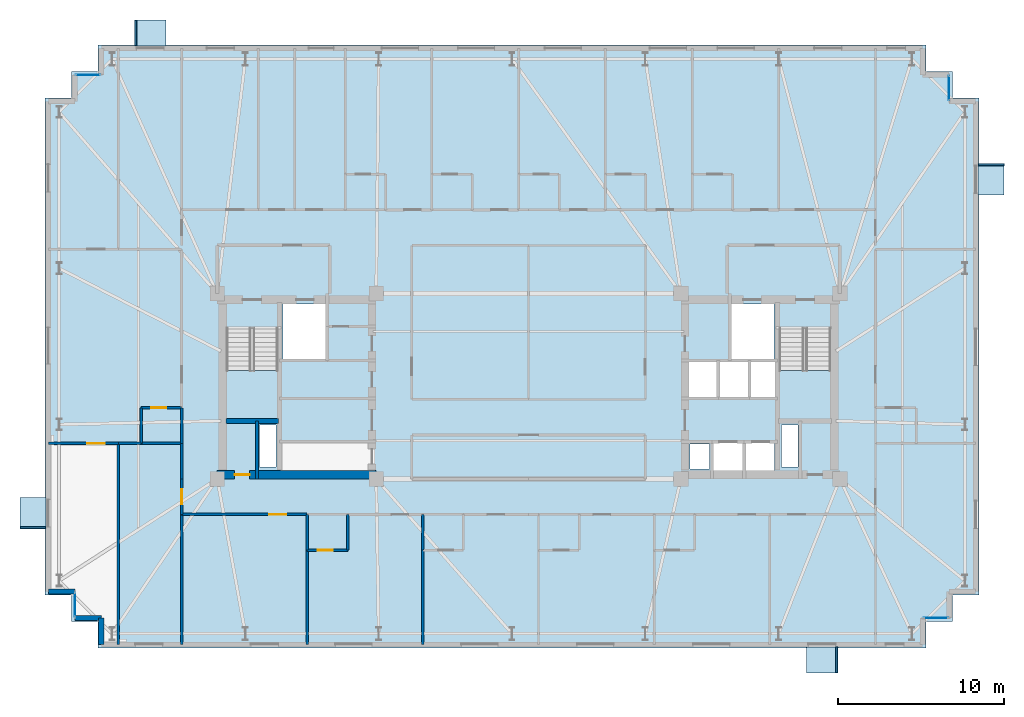
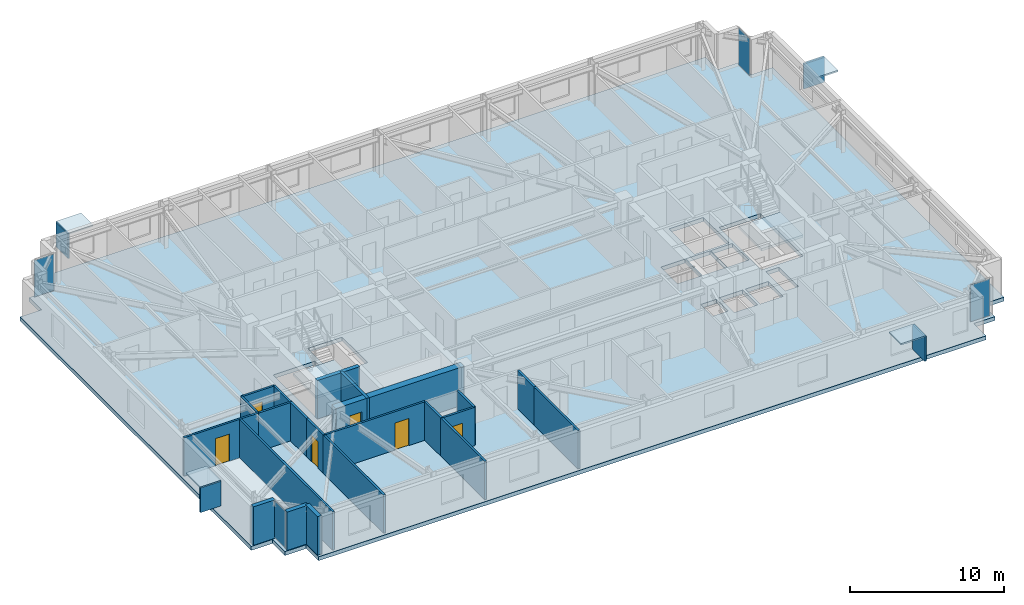
# One storey, part 10 of 17: 23 walls, 12 plates, 6 doors, 3 slabs, 6 openings, 6 elements without a shape of their own.
"""IFC4 building model written with IfcOpenShell, lengths in metres."""

from ifc_helpers import new_model, si_unit, direction, frame, frame_2d, origin, origin_2d, place, context, subcontext, project, spatial, polyline, rectangle, outline, extrude, material, layer, layer_set, type_object, element, fill, aggregate, save


model = new_model("IFC4")

# Units and contexts
model_context = context("Model", 3, precision=1e-05, world=origin(), true_north=direction((0.0, 1.0)))
body_context = subcontext(model_context, "Body", "Model", "MODEL_VIEW")
ifc_project = project(units=[si_unit("LENGTHUNIT", "METRE"), si_unit("AREAUNIT", "SQUARE_METRE"), si_unit("VOLUMEUNIT", "CUBIC_METRE"), si_unit("PLANEANGLEUNIT", "RADIAN"), si_unit("MASSUNIT", "GRAM", prefix="KILO")], contexts=[model_context])

# Site, building, storey
site_placement = place(None, origin())
site = spatial("IfcSite", under=ifc_project, at=site_placement, CompositionType="ELEMENT")
building_placement = place(site_placement, origin())
building = spatial("IfcBuilding", under=site, at=building_placement, Name="Qobustan Lattice House", CompositionType="ELEMENT")
storey_placement = place(building_placement, frame((0.0, 0.0, 144.39990234375)))
storey = spatial("IfcBuildingStorey", under=building, at=storey_placement, Name="L40", CompositionType="ELEMENT", Elevation=144.39990234375)

# Curtain wall, plate
ifc_material_1 = material(Name="Anodised aluminium and low-E glazing", Category="aluminium")
ifc_layer_1 = layer(ifc_material_1, 0.219970703125)
ifc_layer_set_1 = layer_set([ifc_layer_1], Name="Anodised aluminium and low-E glazing")
curtain_wall_type = type_object("IfcCurtainWallType", Name="CW-FAC-02", PredefinedType="USERDEFINED", material=ifc_layer_set_1)
curtain_wall_1_placement = place(storey_placement, origin())
curtain_wall_1 = element("IfcCurtainWall", 1, at=curtain_wall_1_placement, inside=storey, type_object=curtain_wall_type, Name="L40 serrated corner faceted glazing 3", ObjectType="CURTAIN WALL", PredefinedType="USERDEFINED")
ifc_material_2 = material(Name="Clear low-E laminated glass", Category="glass")
ifc_layer_2 = layer(ifc_material_2, 0.031982421875)
ifc_layer_set_2 = layer_set([ifc_layer_2], Name="Clear low-E laminated glass")
plate_type_1 = type_object("IfcPlateType", Name="CWP-VISION-32", PredefinedType="CURTAIN_PANEL", material=ifc_layer_set_2)
plate_1_placement = place(storey_placement, frame((-27.39990234375, -13.199951171875, 0.06494140625), z_axis=(0.0, 0.0, 1.0), x_axis=(0.0, 1.0, 0.0)))
plate_1 = element("IfcPlate", 2, at=plate_1_placement, type_object=plate_type_1, Name="CW-F2 panel 1.1", PredefinedType="CURTAIN_PANEL", context=body_context, shape_type="SweptSolid", body=[
    extrude(rectangle(XDim=1.4599609375, YDim=0.031982421875, at=origin_2d()), origin(), (0.0, 0.0, 1.0), 2.909912109375),
])
aggregate(curtain_wall_1, [plate_1])

curtain_wall_2_placement = place(storey_placement, origin())
curtain_wall_2 = element("IfcCurtainWall", 3, at=curtain_wall_2_placement, inside=storey, type_object=curtain_wall_type, Name="L40 serrated corner faceted glazing 8", ObjectType="CURTAIN WALL", PredefinedType="USERDEFINED")
plate_2_placement = place(storey_placement, frame((-26.60009765625, 18.800048828125, 0.06494140625), z_axis=(0.0, 0.0, 1.0), x_axis=(1.0, 0.0, 0.0)))
plate_2 = element("IfcPlate", 4, at=plate_2_placement, type_object=plate_type_1, Name="CW-F2 panel 1.1", PredefinedType="CURTAIN_PANEL", context=body_context, shape_type="SweptSolid", body=[
    extrude(rectangle(XDim=1.4599609375, YDim=0.031982421875, at=origin_2d()), origin(), (0.0, 0.0, 1.0), 2.909912109375),
])
aggregate(curtain_wall_2, [plate_2])

curtain_wall_3_placement = place(storey_placement, origin())
curtain_wall_3 = element("IfcCurtainWall", 5, at=curtain_wall_3_placement, inside=storey, type_object=curtain_wall_type, Name="L40 serrated corner faceted glazing 13", ObjectType="CURTAIN WALL", PredefinedType="USERDEFINED")
plate_3_placement = place(storey_placement, frame((25.39990234375, 18.0, 0.06494140625), z_axis=(0.0, 0.0, 1.0), x_axis=(0.0, -1.0, 0.0)))
plate_3 = element("IfcPlate", 6, at=plate_3_placement, type_object=plate_type_1, Name="CW-F2 panel 1.1", PredefinedType="CURTAIN_PANEL", context=body_context, shape_type="SweptSolid", body=[
    extrude(rectangle(XDim=1.4599609375, YDim=0.031982421875, at=origin_2d()), origin(), (0.0, 0.0, 1.0), 2.909912109375),
])
aggregate(curtain_wall_3, [plate_3])

curtain_wall_4_placement = place(storey_placement, origin())
curtain_wall_4 = element("IfcCurtainWall", 7, at=curtain_wall_4_placement, inside=storey, type_object=curtain_wall_type, Name="L40 serrated corner faceted glazing 18", ObjectType="CURTAIN WALL", PredefinedType="USERDEFINED")
plate_4_placement = place(storey_placement, frame((24.60009765625, -14.0, 0.06494140625), z_axis=(0.0, 0.0, 1.0), x_axis=(-1.0, 0.0, 0.0)))
plate_4 = element("IfcPlate", 8, at=plate_4_placement, type_object=plate_type_1, Name="CW-F2 panel 1.1", PredefinedType="CURTAIN_PANEL", context=body_context, shape_type="SweptSolid", body=[
    extrude(rectangle(XDim=1.4599609375, YDim=0.031982421875, at=origin_2d()), origin(), (0.0, 0.0, 1.0), 2.909912109375),
])
aggregate(curtain_wall_4, [plate_4])

# Plates
ifc_material_3 = material(Name="Qobustan limestone GFRC", Category="masonry")
ifc_layer_3 = layer(ifc_material_3, 0.1201171875)
ifc_layer_set_3 = layer_set([ifc_layer_3], Name="Qobustan limestone GFRC")
plate_type_2 = type_object("IfcPlateType", Name="SHD-HOOD-BROW", PredefinedType="USERDEFINED", material=ifc_layer_set_3)
plate_5_placement = place(storey_placement, frame((-29.929931640625, -7.679931640625, 2.699951171875), z_axis=(0.0, 0.0, 1.0), x_axis=(0.0, 1.0, 0.0)))
element("IfcPlate", 9, at=plate_5_placement, inside=storey, type_object=plate_type_2, Name="L40 splayed Qobustan stone hood brow", ObjectType="SUNSHADE", PredefinedType="USERDEFINED", context=body_context, shape_type="SweptSolid", body=[
    extrude(rectangle(XDim=1.889892578125, YDim=1.56005859375, at=origin_2d()), origin(), (0.0, 0.0, 1.0), 0.1201171875),
])
plate_6_placement = place(storey_placement, frame((-29.929931640625, -8.56494140625, 0.7900390625), z_axis=(0.0, 0.0, 1.0), x_axis=(0.0, 1.0, 0.0)))
element("IfcPlate", 10, at=plate_6_placement, inside=storey, type_object=plate_type_2, Name="L40 splayed Qobustan stone hood cheek", ObjectType="SUNSHADE", PredefinedType="USERDEFINED", context=body_context, shape_type="SweptSolid", body=[
    extrude(rectangle(XDim=0.1201171875, YDim=1.56005859375, at=origin_2d()), origin(), (0.0, 0.0, 1.0), 1.969970703125),
])
plate_7_placement = place(storey_placement, frame((-22.840087890625, 21.330078125, 2.699951171875), z_axis=(0.0, 0.0, 1.0), x_axis=(1.0, 0.0, 0.0)))
element("IfcPlate", 11, at=plate_7_placement, inside=storey, type_object=plate_type_2, Name="L40 splayed Qobustan stone hood brow", ObjectType="SUNSHADE", PredefinedType="USERDEFINED", context=body_context, shape_type="SweptSolid", body=[
    extrude(rectangle(XDim=1.889892578125, YDim=1.56005859375, at=origin_2d()), origin(), (0.0, 0.0, 1.0), 0.1201171875),
])
plate_8_placement = place(storey_placement, frame((-23.72509765625, 21.330078125, 0.7900390625), z_axis=(0.0, 0.0, 1.0), x_axis=(1.0, 0.0, 0.0)))
element("IfcPlate", 12, at=plate_8_placement, inside=storey, type_object=plate_type_2, Name="L40 splayed Qobustan stone hood cheek", ObjectType="SUNSHADE", PredefinedType="USERDEFINED", context=body_context, shape_type="SweptSolid", body=[
    extrude(rectangle(XDim=0.1201171875, YDim=1.56005859375, at=origin_2d()), origin(), (0.0, 0.0, 1.0), 1.969970703125),
])
plate_9_placement = place(storey_placement, frame((27.929931640625, 12.47998046875, 2.699951171875), z_axis=(0.0, 0.0, 1.0), x_axis=(0.0, -1.0, 0.0)))
element("IfcPlate", 13, at=plate_9_placement, inside=storey, type_object=plate_type_2, Name="L40 splayed Qobustan stone hood brow", ObjectType="SUNSHADE", PredefinedType="USERDEFINED", context=body_context, shape_type="SweptSolid", body=[
    extrude(rectangle(XDim=1.889892578125, YDim=1.56005859375, at=origin_2d()), origin(), (0.0, 0.0, 1.0), 0.1201171875),
])
plate_10_placement = place(storey_placement, frame((27.929931640625, 13.364990234375, 0.7900390625), z_axis=(0.0, 0.0, 1.0), x_axis=(0.0, -1.0, 0.0)))
element("IfcPlate", 14, at=plate_10_placement, inside=storey, type_object=plate_type_2, Name="L40 splayed Qobustan stone hood cheek", ObjectType="SUNSHADE", PredefinedType="USERDEFINED", context=body_context, shape_type="SweptSolid", body=[
    extrude(rectangle(XDim=0.1201171875, YDim=1.56005859375, at=origin_2d()), origin(), (0.0, 0.0, 1.0), 1.969970703125),
])
plate_11_placement = place(storey_placement, frame((17.719970703125, -16.530029296875, 2.699951171875), z_axis=(0.0, 0.0, 1.0), x_axis=(-1.0, 0.0, 0.0)))
element("IfcPlate", 15, at=plate_11_placement, inside=storey, type_object=plate_type_2, Name="L40 splayed Qobustan stone hood brow", ObjectType="SUNSHADE", PredefinedType="USERDEFINED", context=body_context, shape_type="SweptSolid", body=[
    extrude(rectangle(XDim=1.889892578125, YDim=1.56005859375, at=origin_2d()), origin(), (0.0, 0.0, 1.0), 0.1201171875),
])
plate_12_placement = place(storey_placement, frame((18.60498046875, -16.530029296875, 0.7900390625), z_axis=(0.0, 0.0, 1.0), x_axis=(-1.0, 0.0, 0.0)))
element("IfcPlate", 16, at=plate_12_placement, inside=storey, type_object=plate_type_2, Name="L40 splayed Qobustan stone hood cheek", ObjectType="SUNSHADE", PredefinedType="USERDEFINED", context=body_context, shape_type="SweptSolid", body=[
    extrude(rectangle(XDim=0.1201171875, YDim=1.56005859375, at=origin_2d()), origin(), (0.0, 0.0, 1.0), 1.969970703125),
])

# Slab
ifc_material_4 = material(Name="Concrete C40/50", Category="concrete")
ifc_layer_4 = layer(ifc_material_4, 0.31005859375)
ifc_layer_set_4 = layer_set([ifc_layer_4], Name="Concrete C40/50")
slab_type_1 = type_object("IfcSlabType", Name="SLB-FLR-310", PredefinedType="FLOOR", material=ifc_layer_set_4)
slab_1_placement = place(storey_placement, frame((0.0, 0.0, -0.309814453125)))
element("IfcSlab", 17, at=slab_1_placement, inside=storey, type_object=slab_type_1, Name="L40 structural floor slab", PredefinedType="FLOOR", context=body_context, shape_type="SweptSolid", body=[
    extrude(outline(polyline([(-26.0, -15.800048828125), (24.0, -15.800048828125), (24.0, -14.199951171875), (25.60009765625, -14.199951171875), (25.60009765625, -12.60009765625), (27.199951171875, -12.60009765625), (27.199951171875, 17.39990234375), (25.60009765625, 17.39990234375), (25.60009765625, 19.0), (24.0, 19.0), (24.0, 20.60009765625), (-26.0, 20.60009765625), (-26.0, 19.0), (-27.60009765625, 19.0), (-27.60009765625, 17.39990234375), (-29.199951171875, 17.39990234375), (-29.199951171875, -12.60009765625), (-27.60009765625, -12.60009765625), (-27.60009765625, -14.199951171875), (-26.0, -14.199951171875), (-26.0, -15.800048828125)]), holes=[polyline([(-18.25, -2.050048828125), (-18.25, 3.489990234375), (-15.1298828125, 3.489990234375), (-15.1298828125, -2.050048828125), (-18.25, -2.050048828125)]), polyline([(15.1298828125, -2.050048828125), (15.1298828125, 3.489990234375), (18.25, 3.489990234375), (18.25, -2.050048828125), (15.1298828125, -2.050048828125)]), polyline([(-14.820068359375, 1.64990234375), (-14.820068359375, 4.9599609375), (-12.25, 4.9599609375), (-12.25, 1.64990234375), (-14.820068359375, 1.64990234375)]), polyline([(12.25, 1.64990234375), (12.25, 4.9599609375), (14.820068359375, 4.9599609375), (14.820068359375, 1.64990234375), (12.25, 1.64990234375)]), polyline([(-16.260009765625, -4.8798828125), (-16.260009765625, -2.360107421875), (-15.260009765625, -2.360107421875), (-15.260009765625, -4.8798828125), (-16.260009765625, -4.8798828125)]), polyline([(15.260009765625, -4.8798828125), (15.260009765625, -2.360107421875), (16.260009765625, -2.360107421875), (16.260009765625, -4.8798828125), (15.260009765625, -4.8798828125)]), polyline([(11.179931640625, -5.35009765625), (11.179931640625, -3.419921875), (12.919921875, -3.419921875), (12.919921875, -5.35009765625), (11.179931640625, -5.35009765625)]), polyline([(13.1201171875, -5.35009765625), (13.1201171875, -3.419921875), (14.85009765625, -3.419921875), (14.85009765625, -5.35009765625), (13.1201171875, -5.35009765625)]), polyline([(9.760009765625, -5.0), (9.760009765625, -3.47998046875), (10.93994140625, -3.47998046875), (10.93994140625, -5.0), (9.760009765625, -5.0)]), polyline([(13.360107421875, -0.679931640625), (13.360107421875, 1.47998046875), (14.97998046875, 1.47998046875), (14.97998046875, -0.679931640625), (13.360107421875, -0.679931640625)]), polyline([(9.6201171875, -0.679931640625), (9.6201171875, 1.47998046875), (11.43994140625, 1.47998046875), (11.43994140625, -0.679931640625), (9.6201171875, -0.679931640625)]), polyline([(11.5, -0.679931640625), (11.5, 1.47998046875), (13.320068359375, 1.47998046875), (13.320068359375, -0.679931640625), (11.5, -0.679931640625)])]), origin(), (0.0, 0.0, 1.0), 0.309814453125),
])

# Stair, slab
ifc_material_5 = material(Name="Concrete C40/50", Category="concrete")
stair_type = type_object("IfcStairType", Name="STR-CORE-DOGLEG", PredefinedType="HALF_TURN_STAIR", material=ifc_material_5)
stair_1_placement = place(storey_placement, origin())
stair_1 = element("IfcStair", 18, at=stair_1_placement, inside=storey, type_object=stair_type, Name="L40 West protected exit stair ST-W1", PredefinedType="HALF_TURN_STAIR")
ifc_material_6 = material(Name="Concrete C40/50", Category="concrete")
ifc_layer_5 = layer(ifc_material_6, 0.199951171875)
ifc_layer_set_5 = layer_set([ifc_layer_5], Name="Concrete C40/50")
slab_type_2 = type_object("IfcSlabType", Name="SLB-LANDING-200", PredefinedType="LANDING", material=ifc_layer_set_5)
slab_2_placement = place(storey_placement, frame((0.0, 0.0, 1.47509765625)))
slab_2 = element("IfcSlab", 19, at=slab_2_placement, type_object=slab_type_2, Name="ST-W1 landing 1", PredefinedType="LANDING", context=body_context, shape_type="SweptSolid", body=[
    extrude(outline(polyline([(-18.25, 0.93505859375), (-18.25, -2.050048828125), (-15.1298828125, -2.050048828125), (-15.1298828125, 0.93505859375), (-18.25, 0.93505859375)])), origin(), (0.0, 0.0, 1.0), 0.199951171875),
])
aggregate(stair_1, [slab_2])

stair_2_placement = place(storey_placement, origin())
stair_2 = element("IfcStair", 20, at=stair_2_placement, inside=storey, type_object=stair_type, Name="L40 East protected exit stair ST-E1", PredefinedType="HALF_TURN_STAIR")
slab_3_placement = place(storey_placement, frame((0.0, 0.0, 1.47509765625)))
slab_3 = element("IfcSlab", 21, at=slab_3_placement, type_object=slab_type_2, Name="ST-E1 landing 1", PredefinedType="LANDING", context=body_context, shape_type="SweptSolid", body=[
    extrude(outline(polyline([(15.1298828125, 0.93505859375), (15.1298828125, -2.050048828125), (18.25, -2.050048828125), (18.25, 0.93505859375), (15.1298828125, 0.93505859375)])), origin(), (0.0, 0.0, 1.0), 0.199951171875),
])
aggregate(stair_2, [slab_3])

# Wall, opening, door
ifc_material_7 = material(Name="Concrete C50/60", Category="concrete")
ifc_layer_6 = layer(ifc_material_7, 0.5)
ifc_layer_set_6 = layer_set([ifc_layer_6], Name="Concrete C50/60")
wall_type_1 = type_object("IfcWallType", Name="WAL-CORE-500", PredefinedType="SHEAR", material=ifc_layer_set_6)
wall_1_placement = place(storey_placement, frame((-18.800048828125, -5.35009765625, 0.0), z_axis=(0.0, 0.0, 1.0), x_axis=(1.0, 0.0, 0.0)))
wall_1 = element("IfcWall", 22, at=wall_1_placement, inside=storey, type_object=wall_type_1, Name="L40 split-core shear wall CW-S", PredefinedType="SHEAR", context=body_context, shape_type="SweptSolid", body=[
    extrude(rectangle(XDim=9.60009765625, YDim=0.5, at=frame_2d((4.800048828125, 0.0))), origin(), (0.0, 0.0, 1.0), 3.0400390625),
])
opening_1_placement = place(wall_1_placement, frame((1.050048828125, 0.0, 0.0)))
opening_1 = element("IfcOpeningElement", 23, at=opening_1_placement, cuts=wall_1, Name="Opening RD-01", PredefinedType="OPENING", context=body_context, shape_type="SweptSolid", body=[
    extrude(rectangle(XDim=0.89990234375, YDim=2.10009765625, at=frame_2d((0.449951171875, 1.050048828125))), frame((0.0, 0.260009765625, 0.0), z_axis=(0.0, -1.0, 0.0), x_axis=(1.0, 0.0, 0.0)), (0.0, 0.0, 1.0), 0.52001953125),
])
ifc_material_8 = material(Name="Persian walnut timber and steel frame door", Category="steel")
door_type_1 = type_object("IfcDoorType", Name="DOR-RISER-FD-900x2100", OperationType="NOTDEFINED", PredefinedType="DOOR", material=ifc_material_8)
door_1_placement = place(opening_1_placement, origin())
door_1 = element("IfcDoor", 24, at=door_1_placement, inside=storey, type_object=door_type_1, Name="L40 core service riser access door W", OperationType="SINGLE_SWING_LEFT", OverallHeight=2.10009765625, OverallWidth=0.89990234375, PredefinedType="DOOR", context=body_context, shape_type="SweptSolid", body=[
    extrude(rectangle(XDim=0.89990234375, YDim=2.10009765625, at=frame_2d((0.449951171875, 1.050048828125))), frame((0.0, 0.02490234375, 0.0), z_axis=(0.0, -1.0, 0.0), x_axis=(1.0, 0.0, 0.0)), (0.0, 0.0, 1.0), 0.050048828125),
])
fill(opening_1, door_1)

# Walls
ifc_material_9 = material(Name="Concrete C50/60", Category="concrete")
ifc_layer_7 = layer(ifc_material_9, 0.280029296875)
ifc_layer_set_7 = layer_set([ifc_layer_7], Name="Concrete C50/60")
wall_type_2 = type_object("IfcWallType", Name="WAL-CORE-SPINE-280", PredefinedType="SHEAR", material=ifc_layer_set_7)
wall_2_placement = place(storey_placement, frame((-18.280029296875, -2.110107421875, 0.0), z_axis=(0.0, 0.0, 1.0), x_axis=(1.0, 0.0, 0.0)))
element("IfcWall", 25, at=wall_2_placement, inside=storey, type_object=wall_type_2, Name="L40 split-core shear wall CW-ST", PredefinedType="SHEAR", context=body_context, shape_type="SweptSolid", body=[
    extrude(rectangle(XDim=3.179931640625, YDim=0.300048828125, at=frame_2d((1.58984375, 0.0))), origin(), (0.0, 0.0, 1.0), 3.0400390625),
])
ifc_material_10 = material(Name="Precast concrete C40/50", Category="concrete")
ifc_layer_8 = layer(ifc_material_10, 0.320068359375)
ifc_layer_set_8 = layer_set([ifc_layer_8], Name="Precast concrete C40/50")
wall_type_3 = type_object("IfcWallType", Name="WAL-EXT-STONE-320", PredefinedType="SOLIDWALL", material=ifc_layer_set_8)
wall_3_placement = place(storey_placement, frame((-25.800048828125, -15.60009765625, 0.0), z_axis=(0.0, 0.0, 1.0), x_axis=(0.0, 1.0, 0.0)))
element("IfcWall", 26, at=wall_3_placement, inside=storey, type_object=wall_type_3, Name="L40 exterior limestone-clad wall 1", PredefinedType="SOLIDWALL", context=body_context, shape_type="SweptSolid", body=[
    extrude(rectangle(XDim=1.60009765625, YDim=0.320068359375, at=frame_2d((0.800048828125, 0.0))), origin(), (0.0, 0.0, 1.0), 3.0400390625),
])
wall_4_placement = place(storey_placement, frame((-25.800048828125, -14.0, 0.0), z_axis=(0.0, 0.0, 1.0), x_axis=(-1.0, 0.0, 0.0)))
element("IfcWall", 27, at=wall_4_placement, inside=storey, type_object=wall_type_3, Name="L40 exterior limestone-clad wall 2", PredefinedType="SOLIDWALL", context=body_context, shape_type="SweptSolid", body=[
    extrude(rectangle(XDim=1.599853515625, YDim=0.320068359375, at=frame_2d((0.7998046875, 0.0))), origin(), (0.0, 0.0, 1.0), 3.0400390625),
])
wall_5_placement = place(storey_placement, frame((-27.39990234375, -12.39990234375, 0.0), z_axis=(0.0, 0.0, 1.0), x_axis=(-1.0, 0.0, 0.0)))
element("IfcWall", 28, at=wall_5_placement, inside=storey, type_object=wall_type_3, Name="L40 exterior limestone-clad wall 4", PredefinedType="SOLIDWALL", context=body_context, shape_type="SweptSolid", body=[
    extrude(rectangle(XDim=1.60009765625, YDim=0.320068359375, at=frame_2d((0.800048828125, 0.0))), origin(), (0.0, 0.0, 1.0), 3.0400390625),
])

# Wall, opening, door
ifc_material_11 = material(Name="Acoustic twin-stud gypsum partition", Category="gypsum")
ifc_layer_9 = layer(ifc_material_11, 0.14990234375)
ifc_layer_set_9 = layer_set([ifc_layer_9], Name="Acoustic twin-stud gypsum partition")
wall_type_4 = type_object("IfcWallType", Name="WAL-PART-150", PredefinedType="PARTITIONING", material=ifc_layer_set_9)
wall_6_placement = place(storey_placement, frame((-20.949951171875, -7.75, 0.0), z_axis=(0.0, 0.0, 1.0), x_axis=(0.0, 1.0, 0.0)))
wall_6 = element("IfcWall", 29, at=wall_6_placement, inside=storey, type_object=wall_type_4, Name="L40 interior partition 51", PredefinedType="PARTITIONING", context=body_context, shape_type="SweptSolid", body=[
    extrude(rectangle(XDim=2.14990234375, YDim=0.14990234375, at=frame_2d((1.074951171875, 0.0))), origin(), (0.0, 0.0, 1.0), 3.0400390625),
])
opening_2_placement = place(wall_6_placement, frame((0.625, 0.0, 0.0)))
opening_2 = element("IfcOpeningElement", 30, at=opening_2_placement, cuts=wall_6, Name="Opening WD-01", PredefinedType="OPENING", context=body_context, shape_type="SweptSolid", body=[
    extrude(rectangle(XDim=0.89990234375, YDim=2.10009765625, at=frame_2d((0.449951171875, 1.050048828125))), frame((0.0, 0.0849609375, 0.0), z_axis=(0.0, -1.0, 0.0), x_axis=(1.0, 0.0, 0.0)), (0.0, 0.0, 1.0), 0.169921875),
])
ifc_material_12 = material(Name="Persian walnut timber and steel frame door", Category="steel")
door_type_2 = type_object("IfcDoorType", Name="DOR-WET-900x2100", OperationType="NOTDEFINED", PredefinedType="DOOR", material=ifc_material_12)
door_2_placement = place(opening_2_placement, origin())
door_2 = element("IfcDoor", 31, at=door_2_placement, inside=storey, type_object=door_type_2, Name="L40 South-west floor corridor to Focus study room W1B door", OperationType="SINGLE_SWING_LEFT", OverallHeight=2.10009765625, OverallWidth=0.89990234375, PredefinedType="DOOR", context=body_context, shape_type="SweptSolid", body=[
    extrude(rectangle(XDim=0.89990234375, YDim=2.10009765625, at=frame_2d((0.449951171875, 1.050048828125))), frame((0.0, 0.02490234375, 0.0), z_axis=(0.0, -1.0, 0.0), x_axis=(1.0, 0.0, 0.0)), (0.0, 0.0, 1.0), 0.050048828125),
])
fill(opening_2, door_2)

wall_7_placement = place(storey_placement, frame((-13.366943359375, -7.75, 0.0), z_axis=(0.0, 0.0, 1.0), x_axis=(-1.0, 0.0, 0.0)))
wall_7 = element("IfcWall", 32, at=wall_7_placement, inside=storey, type_object=wall_type_4, Name="L40 interior partition 52", PredefinedType="PARTITIONING", context=body_context, shape_type="SweptSolid", body=[
    extrude(rectangle(XDim=7.5830078125, YDim=0.14990234375, at=frame_2d((3.79150390625, 0.0))), origin(), (0.0, 0.0, 1.0), 3.0400390625),
])
opening_3_placement = place(wall_7_placement, frame((1.251708984375, 0.0, 0.0)))
opening_3 = element("IfcOpeningElement", 33, at=opening_3_placement, cuts=wall_7, Name="Opening ID-02", PredefinedType="OPENING", context=body_context, shape_type="SweptSolid", body=[
    extrude(rectangle(XDim=1.050048828125, YDim=2.14990234375, at=frame_2d((0.52490234375, 1.074951171875))), frame((0.0, 0.0849609375, 0.0), z_axis=(0.0, -1.0, 0.0), x_axis=(1.0, 0.0, 0.0)), (0.0, 0.0, 1.0), 0.169921875),
])
ifc_material_13 = material(Name="Persian walnut timber and steel frame door", Category="steel")
door_type_3 = type_object("IfcDoorType", Name="DOR-STUDY-1050x2150", OperationType="NOTDEFINED", PredefinedType="DOOR", material=ifc_material_13)
door_3_placement = place(opening_3_placement, origin())
door_3 = element("IfcDoor", 34, at=door_3_placement, inside=storey, type_object=door_type_3, Name="L40 South-west floor corridor to Focus study room S1 door", OperationType="SINGLE_SWING_RIGHT", OverallHeight=2.14990234375, OverallWidth=1.050048828125, PredefinedType="DOOR", context=body_context, shape_type="SweptSolid", body=[
    extrude(rectangle(XDim=1.050048828125, YDim=2.14990234375, at=frame_2d((0.52490234375, 1.074951171875))), frame((0.0, 0.02490234375, 0.0), z_axis=(0.0, -1.0, 0.0), x_axis=(1.0, 0.0, 0.0)), (0.0, 0.0, 1.0), 0.050048828125),
])
fill(opening_3, door_3)

# Walls
wall_8_placement = place(storey_placement, frame((-20.949951171875, -5.60009765625, 0.0), z_axis=(0.0, 0.0, 1.0), x_axis=(0.0, 1.0, 0.0)))
element("IfcWall", 35, at=wall_8_placement, inside=storey, type_object=wall_type_4, Name="L40 interior partition 66", PredefinedType="PARTITIONING", context=body_context, shape_type="SweptSolid", body=[
    extrude(rectangle(XDim=2.14013671875, YDim=0.14990234375, at=frame_2d((1.070068359375, 0.0))), origin(), (0.0, 0.0, 1.0), 3.0400390625),
])
wall_9_placement = place(storey_placement, frame((-24.764892578125, -3.4599609375, 0.0), z_axis=(0.0, 0.0, 1.0), x_axis=(0.0, -1.0, 0.0)))
element("IfcWall", 36, at=wall_9_placement, inside=storey, type_object=wall_type_4, Name="L40 interior partition 79", PredefinedType="PARTITIONING", context=body_context, shape_type="SweptSolid", body=[
    extrude(rectangle(XDim=12.14013671875, YDim=0.14990234375, at=frame_2d((6.070068359375, 0.0))), origin(), (0.0, 0.0, 1.0), 3.0400390625),
])

# Wall, opening, door
wall_10_placement = place(storey_placement, frame((-29.0, -3.4599609375, 0.0), z_axis=(0.0, 0.0, 1.0), x_axis=(1.0, 0.0, 0.0)))
wall_10 = element("IfcWall", 37, at=wall_10_placement, inside=storey, type_object=wall_type_4, Name="L40 interior partition 80", PredefinedType="PARTITIONING", context=body_context, shape_type="SweptSolid", body=[
    extrude(rectangle(XDim=4.235107421875, YDim=0.14990234375, at=frame_2d((2.11767578125, 0.0))), origin(), (0.0, 0.0, 1.0), 3.0400390625),
])
opening_4_placement = place(wall_10_placement, frame((2.351806640625, 0.0, 0.0)))
opening_4 = element("IfcOpeningElement", 38, at=opening_4_placement, cuts=wall_10, Name="Opening ID-02", PredefinedType="OPENING", context=body_context, shape_type="SweptSolid", body=[
    extrude(rectangle(XDim=1.050048828125, YDim=2.14990234375, at=frame_2d((0.52490234375, 1.074951171875))), frame((0.0, 0.0849609375, 0.0), z_axis=(0.0, -1.0, 0.0), x_axis=(1.0, 0.0, 0.0)), (0.0, 0.0, 1.0), 0.169921875),
])
door_4_placement = place(opening_4_placement, origin())
door_4 = element("IfcDoor", 39, at=door_4_placement, inside=storey, type_object=door_type_3, Name="L40 Focus study room W1A to Kitchenette and studio apartment L40-W2 door", OperationType="SINGLE_SWING_RIGHT", OverallHeight=2.14990234375, OverallWidth=1.050048828125, PredefinedType="DOOR", context=body_context, shape_type="SweptSolid", body=[
    extrude(rectangle(XDim=1.050048828125, YDim=2.14990234375, at=frame_2d((0.52490234375, 1.074951171875))), frame((0.0, 0.02490234375, 0.0), z_axis=(0.0, -1.0, 0.0), x_axis=(1.0, 0.0, 0.0)), (0.0, 0.0, 1.0), 0.050048828125),
])
fill(opening_4, door_4)

# Walls
wall_11_placement = place(storey_placement, frame((-24.764892578125, -3.4599609375, 0.0), z_axis=(0.0, 0.0, 1.0), x_axis=(1.0, 0.0, 0.0)))
element("IfcWall", 40, at=wall_11_placement, inside=storey, type_object=wall_type_4, Name="L40 interior partition 81", PredefinedType="PARTITIONING", context=body_context, shape_type="SweptSolid", body=[
    extrude(rectangle(XDim=1.364990234375, YDim=0.14990234375, at=frame_2d((0.6826171875, 0.0))), origin(), (0.0, 0.0, 1.0), 3.0400390625),
])
wall_12_placement = place(storey_placement, frame((-20.949951171875, -7.75, 0.0), z_axis=(0.0, 0.0, 1.0), x_axis=(0.0, -1.0, 0.0)))
element("IfcWall", 41, at=wall_12_placement, inside=storey, type_object=wall_type_4, Name="L40 interior partition 83", PredefinedType="PARTITIONING", context=body_context, shape_type="SweptSolid", body=[
    extrude(rectangle(XDim=7.85009765625, YDim=0.14990234375, at=frame_2d((3.925048828125, 0.0))), origin(), (0.0, 0.0, 1.0), 3.0400390625),
])
for number, where, z_axis, x_axis, name in (
    (42, (-13.366943359375, -9.89990234375, 0.0), (0.0, 0.0, 1.0), (0.0, -1.0, 0.0), "L40 interior partition 120"),
    (43, (-6.383056640625, -9.89990234375, 0.0), (0.0, 0.0, 1.0), (0.0, -1.0, 0.0), "L40 interior partition 124"),
):
    element("IfcWall", number, at=place(storey_placement, frame(where, z_axis=z_axis, x_axis=x_axis)), inside=storey, type_object=wall_type_4, Name=name, PredefinedType="PARTITIONING", context=body_context, shape_type="SweptSolid", body=[
        extrude(rectangle(XDim=5.7001953125, YDim=0.14990234375, at=frame_2d((2.85009765625, 0.0))), origin(), (0.0, 0.0, 1.0), 3.0400390625),
    ])
ifc_material_14 = material(Name="Concrete C40/50", Category="concrete")
ifc_layer_10 = layer(ifc_material_14, 0.199951171875)
ifc_layer_set_10 = layer_set([ifc_layer_10], Name="Concrete C40/50")
wall_type_5 = type_object("IfcWallType", Name="WAL-SHAFT-200", PredefinedType="PARTITIONING", material=ifc_layer_set_10)
wall_13_placement = place(storey_placement, frame((-16.39990234375, -5.60009765625, 0.0), z_axis=(0.0, 0.0, 1.0), x_axis=(0.0, 1.0, 0.0)))
element("IfcWall", 44, at=wall_13_placement, inside=storey, type_object=wall_type_5, Name="L40 interior partition 1", PredefinedType="PARTITIONING", context=body_context, shape_type="SweptSolid", body=[
    extrude(rectangle(XDim=3.489990234375, YDim=0.199951171875, at=frame_2d((1.7451171875, 0.0))), origin(), (0.0, 0.0, 1.0), 3.0400390625),
])
ifc_material_15 = material(Name="Moisture-resistant acoustic plumbing wall", Category="gypsum")
ifc_layer_11 = layer(ifc_material_15, 0.14990234375)
ifc_layer_set_11 = layer_set([ifc_layer_11], Name="Moisture-resistant acoustic plumbing wall")
wall_type_6 = type_object("IfcWallType", Name="WAL-WET-150", PredefinedType="PLUMBINGWALL", material=ifc_layer_set_11)
wall_14_placement = place(storey_placement, frame((-20.949951171875, -3.4599609375, 0.0), z_axis=(0.0, 0.0, 1.0), x_axis=(0.0, 1.0, 0.0)))
element("IfcWall", 45, at=wall_14_placement, inside=storey, type_object=wall_type_6, Name="L40 interior partition 68", PredefinedType="PLUMBINGWALL", context=body_context, shape_type="SweptSolid", body=[
    extrude(rectangle(XDim=2.14990234375, YDim=0.14990234375, at=frame_2d((1.074951171875, 0.0))), origin(), (0.0, 0.0, 1.0), 3.0400390625),
])
wall_15_placement = place(storey_placement, frame((-23.39990234375, -3.4599609375, 0.0), z_axis=(0.0, 0.0, 1.0), x_axis=(1.0, 0.0, 0.0)))
element("IfcWall", 46, at=wall_15_placement, inside=storey, type_object=wall_type_6, Name="L40 interior partition 82", PredefinedType="PLUMBINGWALL", context=body_context, shape_type="SweptSolid", body=[
    extrude(rectangle(XDim=2.449951171875, YDim=0.14990234375, at=frame_2d((1.22509765625, 0.0))), origin(), (0.0, 0.0, 1.0), 3.0400390625),
])

# Wall, opening, door
wall_16_placement = place(storey_placement, frame((-20.949951171875, -1.31005859375, 0.0), z_axis=(0.0, 0.0, 1.0), x_axis=(-1.0, 0.0, 0.0)))
wall_16 = element("IfcWall", 47, at=wall_16_placement, inside=storey, type_object=wall_type_6, Name="L40 interior partition 84", PredefinedType="PLUMBINGWALL", context=body_context, shape_type="SweptSolid", body=[
    extrude(rectangle(XDim=2.449951171875, YDim=0.14990234375, at=frame_2d((1.22509765625, 0.0))), origin(), (0.0, 0.0, 1.0), 3.0400390625),
])
opening_5_placement = place(wall_16_placement, frame((0.921142578125, 0.0, 0.0)))
opening_5 = element("IfcOpeningElement", 48, at=opening_5_placement, cuts=wall_16, Name="Opening WD-01", PredefinedType="OPENING", context=body_context, shape_type="SweptSolid", body=[
    extrude(rectangle(XDim=0.89990234375, YDim=2.10009765625, at=frame_2d((0.449951171875, 1.050048828125))), frame((0.0, 0.0849609375, 0.0), z_axis=(0.0, -1.0, 0.0), x_axis=(1.0, 0.0, 0.0)), (0.0, 0.0, 1.0), 0.169921875),
])
door_5_placement = place(opening_5_placement, origin())
door_5 = element("IfcDoor", 49, at=door_5_placement, inside=storey, type_object=door_type_2, Name="L40 Kitchenette and studio apartment L40-W2 to En-suite bathroom L40-W2 door", OperationType="SINGLE_SWING_LEFT", OverallHeight=2.10009765625, OverallWidth=0.89990234375, PredefinedType="DOOR", context=body_context, shape_type="SweptSolid", body=[
    extrude(rectangle(XDim=0.89990234375, YDim=2.10009765625, at=frame_2d((0.449951171875, 1.050048828125))), frame((0.0, 0.02490234375, 0.0), z_axis=(0.0, -1.0, 0.0), x_axis=(1.0, 0.0, 0.0)), (0.0, 0.0, 1.0), 0.050048828125),
])
fill(opening_5, door_5)

# Walls
for number, where, z_axis, x_axis, name in (
    (50, (-23.39990234375, -1.31005859375, 0.0), (0.0, 0.0, 1.0), (0.0, -1.0, 0.0), "L40 interior partition 85"),
    (51, (-13.366943359375, -7.75, 0.0), (0.0, 0.0, 1.0), (0.0, -1.0, 0.0), "L40 interior partition 121"),
):
    element("IfcWall", number, at=place(storey_placement, frame(where, z_axis=z_axis, x_axis=x_axis)), inside=storey, type_object=wall_type_6, Name=name, PredefinedType="PLUMBINGWALL", context=body_context, shape_type="SweptSolid", body=[
        extrude(rectangle(XDim=2.14990234375, YDim=0.14990234375, at=frame_2d((1.074951171875, 0.0))), origin(), (0.0, 0.0, 1.0), 3.0400390625),
    ])

# Wall, opening, door
wall_17_placement = place(storey_placement, frame((-13.366943359375, -9.89990234375, 0.0), z_axis=(0.0, 0.0, 1.0), x_axis=(1.0, 0.0, 0.0)))
wall_17 = element("IfcWall", 52, at=wall_17_placement, inside=storey, type_object=wall_type_6, Name="L40 interior partition 122", PredefinedType="PLUMBINGWALL", context=body_context, shape_type="SweptSolid", body=[
    extrude(rectangle(XDim=2.449951171875, YDim=0.14990234375, at=frame_2d((1.22509765625, 0.0))), origin(), (0.0, 0.0, 1.0), 3.0400390625),
])
opening_6_placement = place(wall_17_placement, frame((0.62890625, 0.0, 0.0)))
opening_6 = element("IfcOpeningElement", 53, at=opening_6_placement, cuts=wall_17, Name="Opening WD-01", PredefinedType="OPENING", context=body_context, shape_type="SweptSolid", body=[
    extrude(rectangle(XDim=0.89990234375, YDim=2.10009765625, at=frame_2d((0.449951171875, 1.050048828125))), frame((0.0, 0.0849609375, 0.0), z_axis=(0.0, -1.0, 0.0), x_axis=(1.0, 0.0, 0.0)), (0.0, 0.0, 1.0), 0.169921875),
])
door_6_placement = place(opening_6_placement, origin())
door_6 = element("IfcDoor", 54, at=door_6_placement, inside=storey, type_object=door_type_2, Name="L40 Kitchenette and studio apartment L40-S2 to En-suite bathroom L40-S2 door", OperationType="SINGLE_SWING_LEFT", OverallHeight=2.10009765625, OverallWidth=0.89990234375, PredefinedType="DOOR", context=body_context, shape_type="SweptSolid", body=[
    extrude(rectangle(XDim=0.89990234375, YDim=2.10009765625, at=frame_2d((0.449951171875, 1.050048828125))), frame((0.0, 0.02490234375, 0.0), z_axis=(0.0, -1.0, 0.0), x_axis=(1.0, 0.0, 0.0)), (0.0, 0.0, 1.0), 0.050048828125),
])
fill(opening_6, door_6)

# Walls
for number, where, z_axis, x_axis, name in (
    (55, (-10.9169921875, -9.89990234375, 0.0), (0.0, 0.0, 1.0), (0.0, 1.0, 0.0), "L40 interior partition 123"),
    (56, (-6.383056640625, -7.75, 0.0), (0.0, 0.0, 1.0), (0.0, -1.0, 0.0), "L40 interior partition 125"),
):
    element("IfcWall", number, at=place(storey_placement, frame(where, z_axis=z_axis, x_axis=x_axis)), inside=storey, type_object=wall_type_6, Name=name, PredefinedType="PLUMBINGWALL", context=body_context, shape_type="SweptSolid", body=[
        extrude(rectangle(XDim=2.14990234375, YDim=0.14990234375, at=frame_2d((1.074951171875, 0.0))), origin(), (0.0, 0.0, 1.0), 3.0400390625),
    ])

save(model, "model.ifc")
